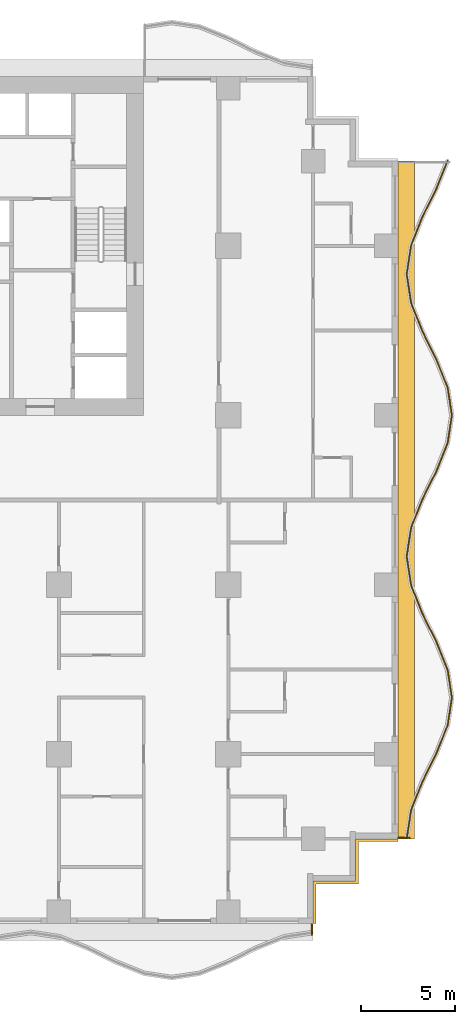
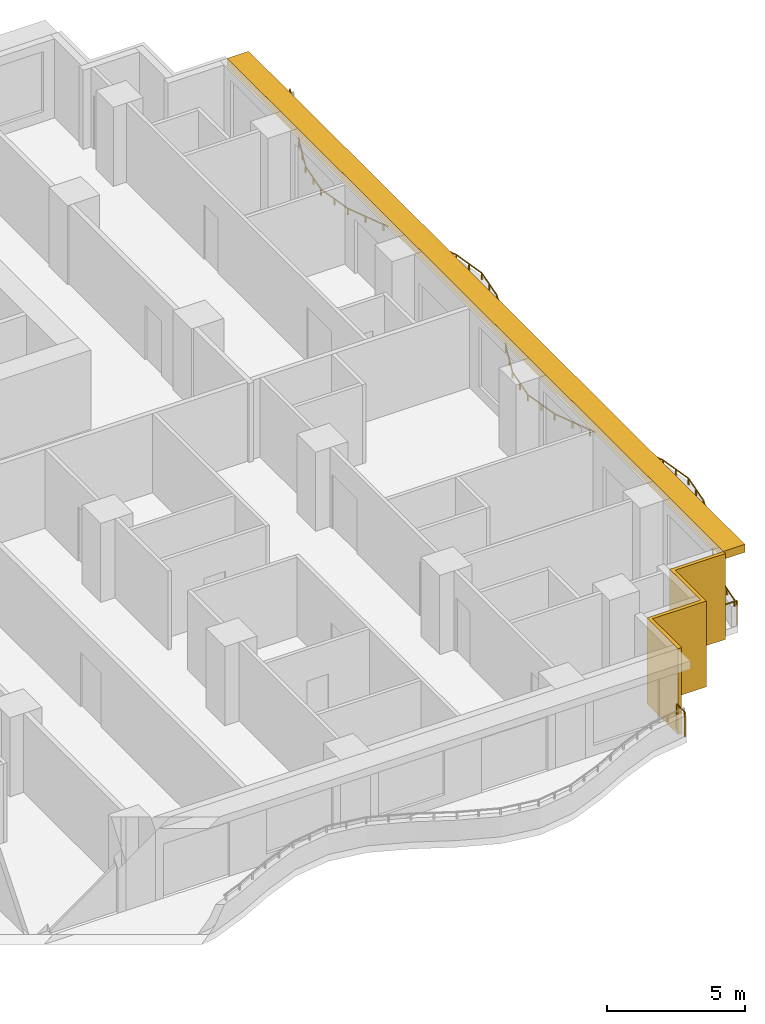
# One storey, part 10 of 13: 3 railings, 2 shading devices.
"""IFC4 building model written with IfcOpenShell, lengths in metres."""

from ifc_helpers import new_model, si_unit, direction, frame, origin, origin_2d, place, context, subcontext, project, spatial, polyline, rectangle, outline, extrude, material, layer, layer_set, type_object, element, save


model = new_model("IFC4")

# Units and contexts
model_context = context("Model", 3, precision=1e-05, world=origin(), true_north=direction((0.0, 1.0)))
body_context = subcontext(model_context, "Body", "Model", "MODEL_VIEW")
ifc_project = project(units=[si_unit("LENGTHUNIT", "METRE"), si_unit("AREAUNIT", "SQUARE_METRE"), si_unit("VOLUMEUNIT", "CUBIC_METRE"), si_unit("PLANEANGLEUNIT", "RADIAN"), si_unit("MASSUNIT", "GRAM", prefix="KILO")], contexts=[model_context])

# Site, building, storey
site_placement = place(None, origin())
site = spatial("IfcSite", under=ifc_project, at=site_placement, CompositionType="ELEMENT")
building_placement = place(site_placement, origin())
building = spatial("IfcBuilding", under=site, at=building_placement, Name="Orbiselva Terraces", CompositionType="ELEMENT")
storey_placement = place(building_placement, frame((0.0, 0.0, 99.8)))
storey = spatial("IfcBuildingStorey", under=building, at=storey_placement, Name="L25", CompositionType="ELEMENT", Elevation=99.8)

# Railings
ifc_material_1 = material(Name="Bonded two-ply safety glass balustrade, stainless steel posts", Category="steel")
railing_type_1 = type_object("IfcRailingType", Name="ENV-BALUSTRADE-1200", PredefinedType="BALUSTRADE", material=ifc_material_1)
railing_1_placement = place(storey_placement, frame((27.476434, -17.981121, 0.9)))
element("IfcRailing", 1, at=railing_1_placement, inside=storey, type_object=railing_type_1, Name="Balcony balustrade L25 E", PredefinedType="BALUSTRADE", context=body_context, shape_type="SweptSolid", body=[
    extrude(outline(polyline([(0.028868, 0.0), (0.014434, 0.025), (-0.014434, 0.025), (-0.028868, 0.0), (-0.014434, -0.025), (0.014434, -0.025), (0.028868, 0.0)])), frame((0.0, 0.0, 0.275), z_axis=(0.151033869252, 0.988528588529, 0.0), x_axis=(-0.988528588529, 0.151033869252, 0.0)), (0.0, 0.0, 1.0), 1.531776),
    extrude(outline(polyline([(0.028868, 0.0), (0.014434, 0.025), (-0.014434, 0.025), (-0.028868, 0.0), (-0.014434, -0.025), (0.014434, -0.025), (0.028868, 0.0)])), frame((0.23135, 1.514204, 0.275), z_axis=(0.371390359967, 0.92847681744, 0.0), x_axis=(-0.92847681744, 0.371390359967, 0.0)), (0.0, 0.0, 1.0), 1.634838),
    extrude(outline(polyline([(0.028868, 0.0), (0.014434, 0.025), (-0.014434, 0.025), (-0.028868, 0.0), (-0.014434, -0.025), (0.014434, -0.025), (0.028868, 0.0)])), frame((0.838513, 3.032113, 0.275), z_axis=(0.443212307306, 0.896416672454, 0.0), x_axis=(-0.896416672454, 0.443212307306, 0.0)), (0.0, 0.0, 1.0), 1.673329),
    extrude(outline(polyline([(0.028868, 0.0), (0.014434, 0.025), (-0.014434, 0.025), (-0.028868, 0.0), (-0.014434, -0.025), (0.014434, -0.025), (0.028868, 0.0)])), frame((1.580153, 4.532113, 0.275), z_axis=(0.371391000387, 0.928476561272, 0.0), x_axis=(-0.928476561272, 0.371391000387, 0.0)), (0.0, 0.0, 1.0), 1.596261),
    extrude(outline(polyline([(0.028868, 0.0), (0.014434, 0.025), (-0.014434, 0.025), (-0.028868, 0.0), (-0.014434, -0.025), (0.014434, -0.025), (0.028868, 0.0)])), frame((2.17299, 6.014204, 0.275), z_axis=(0.151033749027, 0.988528606898, 0.0), x_axis=(-0.988528606898, 0.151033749027, 0.0)), (0.0, 0.0, 1.0), 1.48394),
    extrude(outline(polyline([(0.028868, 0.0), (0.014434, 0.025), (-0.014434, 0.025), (-0.028868, 0.0), (-0.014434, -0.025), (0.014434, -0.025), (0.028868, 0.0)])), frame((2.397115, 7.481121, 0.275), z_axis=(-0.151033749027, 0.988528606898, 0.0), x_axis=(-0.988528606898, -0.151033749027, 0.0)), (0.0, 0.0, 1.0), 1.48394),
    extrude(outline(polyline([(0.028868, 0.0), (0.014434, 0.025), (-0.014434, 0.025), (-0.028868, 0.0), (-0.014434, -0.025), (0.014434, -0.025), (0.028868, 0.0)])), frame((2.17299, 8.948038, 0.275), z_axis=(-0.371391000387, 0.928476561272, 0.0), x_axis=(-0.928476561272, -0.371391000387, 0.0)), (0.0, 0.0, 1.0), 1.596261),
    extrude(outline(polyline([(0.028868, 0.0), (0.014434, 0.025), (-0.014434, 0.025), (-0.028868, 0.0), (-0.014434, -0.025), (0.014434, -0.025), (0.028868, 0.0)])), frame((1.580153, 10.430129, 0.275), z_axis=(-0.443212307306, 0.896416672454, 0.0), x_axis=(-0.896416672454, -0.443212307306, 0.0)), (0.0, 0.0, 1.0), 1.673329),
    extrude(outline(polyline([(0.028868, 0.0), (0.014434, 0.025), (-0.014434, 0.025), (-0.028868, 0.0), (-0.014434, -0.025), (0.014434, -0.025), (0.028868, 0.0)])), frame((0.838513, 11.930129, 0.275), z_axis=(-0.371390359967, 0.92847681744, 0.0), x_axis=(-0.92847681744, -0.371390359967, 0.0)), (0.0, 0.0, 1.0), 1.634838),
    extrude(outline(polyline([(0.028868, 0.0), (0.014434, 0.025), (-0.014434, 0.025), (-0.028868, 0.0), (-0.014434, -0.025), (0.014434, -0.025), (0.028868, 0.0)])), frame((0.23135, 13.448038, 0.275), z_axis=(-0.151034211256, 0.988528536275, 0.0), x_axis=(-0.988528536275, -0.151034211256, 0.0)), (0.0, 0.0, 1.0), 1.550874),
    extrude(outline(polyline([(0.028868, 0.0), (0.014434, 0.025), (-0.014434, 0.025), (-0.028868, 0.0), (-0.014434, -0.025), (0.014434, -0.025), (0.028868, 0.0)])), frame((-0.002885, 14.981121, 0.275), z_axis=(0.151034211256, 0.988528536275, 0.0), x_axis=(-0.988528536275, 0.151034211256, 0.0)), (0.0, 0.0, 1.0), 1.550874),
    extrude(outline(polyline([(0.028868, 0.0), (0.014434, 0.025), (-0.014434, 0.025), (-0.028868, 0.0), (-0.014434, -0.025), (0.014434, -0.025), (0.028868, 0.0)])), frame((0.23135, 16.514204, 0.275), z_axis=(0.371390359967, 0.92847681744, 0.0), x_axis=(-0.92847681744, 0.371390359967, 0.0)), (0.0, 0.0, 1.0), 1.634838),
    extrude(outline(polyline([(0.028868, 0.0), (0.014434, 0.025), (-0.014434, 0.025), (-0.028868, 0.0), (-0.014434, -0.025), (0.014434, -0.025), (0.028868, 0.0)])), frame((0.838513, 18.032113, 0.275), z_axis=(0.443212307306, 0.896416672454, 0.0), x_axis=(-0.896416672454, 0.443212307306, 0.0)), (0.0, 0.0, 1.0), 1.673329),
    extrude(outline(polyline([(0.028868, 0.0), (0.014434, 0.025), (-0.014434, 0.025), (-0.028868, 0.0), (-0.014434, -0.025), (0.014434, -0.025), (0.028868, 0.0)])), frame((1.580153, 19.532113, 0.275), z_axis=(0.371391000387, 0.928476561272, 0.0), x_axis=(-0.928476561272, 0.371391000387, 0.0)), (0.0, 0.0, 1.0), 1.596261),
    extrude(outline(polyline([(0.028868, 0.0), (0.014434, 0.025), (-0.014434, 0.025), (-0.028868, 0.0), (-0.014434, -0.025), (0.014434, -0.025), (0.028868, 0.0)])), frame((2.17299, 21.014204, 0.275), z_axis=(0.151033749027, 0.988528606898, 0.0), x_axis=(-0.988528606898, 0.151033749027, 0.0)), (0.0, 0.0, 1.0), 1.48394),
    extrude(outline(polyline([(0.028868, 0.0), (0.014434, 0.025), (-0.014434, 0.025), (-0.028868, 0.0), (-0.014434, -0.025), (0.014434, -0.025), (0.028868, 0.0)])), frame((2.397115, 22.481121, 0.275), z_axis=(-0.151033749027, 0.988528606898, 0.0), x_axis=(-0.988528606898, -0.151033749027, 0.0)), (0.0, 0.0, 1.0), 1.48394),
    extrude(outline(polyline([(0.028868, 0.0), (0.014434, 0.025), (-0.014434, 0.025), (-0.028868, 0.0), (-0.014434, -0.025), (0.014434, -0.025), (0.028868, 0.0)])), frame((2.17299, 23.948038, 0.275), z_axis=(-0.371391000387, 0.928476561272, 0.0), x_axis=(-0.928476561272, -0.371391000387, 0.0)), (0.0, 0.0, 1.0), 1.596261),
    extrude(outline(polyline([(0.028868, 0.0), (0.014434, 0.025), (-0.014434, 0.025), (-0.028868, 0.0), (-0.014434, -0.025), (0.014434, -0.025), (0.028868, 0.0)])), frame((1.580153, 25.430129, 0.275), z_axis=(-0.443212307306, 0.896416672454, 0.0), x_axis=(-0.896416672454, -0.443212307306, 0.0)), (0.0, 0.0, 1.0), 1.673329),
    extrude(outline(polyline([(0.028868, 0.0), (0.014434, 0.025), (-0.014434, 0.025), (-0.028868, 0.0), (-0.014434, -0.025), (0.014434, -0.025), (0.028868, 0.0)])), frame((0.838513, 26.930129, 0.275), z_axis=(-0.371390359967, 0.92847681744, 0.0), x_axis=(-0.92847681744, -0.371390359967, 0.0)), (0.0, 0.0, 1.0), 1.634838),
    extrude(outline(polyline([(0.028868, 0.0), (0.014434, 0.025), (-0.014434, 0.025), (-0.028868, 0.0), (-0.014434, -0.025), (0.014434, -0.025), (0.028868, 0.0)])), frame((0.23135, 28.448038, 0.275), z_axis=(-0.151034211256, 0.988528536275, 0.0), x_axis=(-0.988528536275, -0.151034211256, 0.0)), (0.0, 0.0, 1.0), 1.550874),
    extrude(outline(polyline([(0.028868, 0.0), (0.014434, 0.025), (-0.014434, 0.025), (-0.028868, 0.0), (-0.014434, -0.025), (0.014434, -0.025), (0.028868, 0.0)])), frame((-0.002885, 29.981121, 0.275), z_axis=(0.151034211256, 0.988528536275, 0.0), x_axis=(-0.988528536275, 0.151034211256, 0.0)), (0.0, 0.0, 1.0), 1.550874),
    extrude(outline(polyline([(0.028868, 0.0), (0.014434, 0.025), (-0.014434, 0.025), (-0.028868, 0.0), (-0.014434, -0.025), (0.014434, -0.025), (0.028868, 0.0)])), frame((0.23135, 31.514204, 0.275), z_axis=(0.371390359967, 0.92847681744, 0.0), x_axis=(-0.92847681744, 0.371390359967, 0.0)), (0.0, 0.0, 1.0), 1.634838),
    extrude(outline(polyline([(0.028868, 0.0), (0.014434, 0.025), (-0.014434, 0.025), (-0.028868, 0.0), (-0.014434, -0.025), (0.014434, -0.025), (0.028868, 0.0)])), frame((0.838513, 33.032113, 0.275), z_axis=(0.443212307306, 0.896416672454, 0.0), x_axis=(-0.896416672454, 0.443212307306, 0.0)), (0.0, 0.0, 1.0), 1.673329),
    extrude(outline(polyline([(0.028868, 0.0), (0.014434, 0.025), (-0.014434, 0.025), (-0.028868, 0.0), (-0.014434, -0.025), (0.014434, -0.025), (0.028868, 0.0)])), frame((1.580153, 34.532113, 0.275), z_axis=(0.371390783402, 0.928476648066, 0.0), x_axis=(-0.928476648066, 0.371390783402, 0.0)), (0.0, 0.0, 1.0), 1.61063),
    extrude(rectangle(XDim=0.05, YDim=0.05, at=origin_2d()), origin(), (0.0, 0.0, 1.0), 0.25),
    extrude(rectangle(XDim=0.05, YDim=0.05, at=origin_2d()), frame((0.115675, 0.757102, 0.0)), (0.0, 0.0, 1.0), 0.25),
    extrude(rectangle(XDim=0.05, YDim=0.05, at=origin_2d()), frame((0.23135, 1.514204, 0.0)), (0.0, 0.0, 1.0), 0.25),
    extrude(rectangle(XDim=0.05, YDim=0.05, at=origin_2d()), frame((0.534931, 2.273159, 0.0)), (0.0, 0.0, 1.0), 0.25),
    extrude(rectangle(XDim=0.05, YDim=0.05, at=origin_2d()), frame((0.838513, 3.032113, 0.0)), (0.0, 0.0, 1.0), 0.25),
    extrude(rectangle(XDim=0.05, YDim=0.05, at=origin_2d()), frame((1.209333, 3.782113, 0.0)), (0.0, 0.0, 1.0), 0.25),
    extrude(rectangle(XDim=0.05, YDim=0.05, at=origin_2d()), frame((1.580153, 4.532113, 0.0)), (0.0, 0.0, 1.0), 0.25),
    extrude(rectangle(XDim=0.05, YDim=0.05, at=origin_2d()), frame((1.876571, 5.273159, 0.0)), (0.0, 0.0, 1.0), 0.25),
    extrude(rectangle(XDim=0.05, YDim=0.05, at=origin_2d()), frame((2.17299, 6.014204, 0.0)), (0.0, 0.0, 1.0), 0.25),
    extrude(rectangle(XDim=0.05, YDim=0.05, at=origin_2d()), frame((2.285052, 6.747663, 0.0)), (0.0, 0.0, 1.0), 0.25),
    extrude(rectangle(XDim=0.05, YDim=0.05, at=origin_2d()), frame((2.397115, 7.481121, 0.0)), (0.0, 0.0, 1.0), 0.25),
    extrude(rectangle(XDim=0.05, YDim=0.05, at=origin_2d()), frame((2.285052, 8.21458, 0.0)), (0.0, 0.0, 1.0), 0.25),
    extrude(rectangle(XDim=0.05, YDim=0.05, at=origin_2d()), frame((2.17299, 8.948038, 0.0)), (0.0, 0.0, 1.0), 0.25),
    extrude(rectangle(XDim=0.05, YDim=0.05, at=origin_2d()), frame((1.876571, 9.689084, 0.0)), (0.0, 0.0, 1.0), 0.25),
    extrude(rectangle(XDim=0.05, YDim=0.05, at=origin_2d()), frame((1.580153, 10.430129, 0.0)), (0.0, 0.0, 1.0), 0.25),
    extrude(rectangle(XDim=0.05, YDim=0.05, at=origin_2d()), frame((1.209333, 11.180129, 0.0)), (0.0, 0.0, 1.0), 0.25),
    extrude(rectangle(XDim=0.05, YDim=0.05, at=origin_2d()), frame((0.838513, 11.930129, 0.0)), (0.0, 0.0, 1.0), 0.25),
    extrude(rectangle(XDim=0.05, YDim=0.05, at=origin_2d()), frame((0.534931, 12.689084, 0.0)), (0.0, 0.0, 1.0), 0.25),
    extrude(rectangle(XDim=0.05, YDim=0.05, at=origin_2d()), frame((0.23135, 13.448038, 0.0)), (0.0, 0.0, 1.0), 0.25),
    extrude(rectangle(XDim=0.05, YDim=0.05, at=origin_2d()), frame((0.114232, 14.21458, 0.0)), (0.0, 0.0, 1.0), 0.25),
    extrude(rectangle(XDim=0.05, YDim=0.05, at=origin_2d()), frame((-0.002885, 14.981121, 0.0)), (0.0, 0.0, 1.0), 0.25),
    extrude(rectangle(XDim=0.05, YDim=0.05, at=origin_2d()), frame((0.114232, 15.747663, 0.0)), (0.0, 0.0, 1.0), 0.25),
    extrude(rectangle(XDim=0.05, YDim=0.05, at=origin_2d()), frame((0.23135, 16.514204, 0.0)), (0.0, 0.0, 1.0), 0.25),
    extrude(rectangle(XDim=0.05, YDim=0.05, at=origin_2d()), frame((0.534931, 17.273158, 0.0)), (0.0, 0.0, 1.0), 0.25),
    extrude(rectangle(XDim=0.05, YDim=0.05, at=origin_2d()), frame((0.838513, 18.032113, 0.0)), (0.0, 0.0, 1.0), 0.25),
    extrude(rectangle(XDim=0.05, YDim=0.05, at=origin_2d()), frame((1.209333, 18.782113, 0.0)), (0.0, 0.0, 1.0), 0.25),
    extrude(rectangle(XDim=0.05, YDim=0.05, at=origin_2d()), frame((1.580153, 19.532113, 0.0)), (0.0, 0.0, 1.0), 0.25),
    extrude(rectangle(XDim=0.05, YDim=0.05, at=origin_2d()), frame((1.876571, 20.273158, 0.0)), (0.0, 0.0, 1.0), 0.25),
    extrude(rectangle(XDim=0.05, YDim=0.05, at=origin_2d()), frame((2.17299, 21.014204, 0.0)), (0.0, 0.0, 1.0), 0.25),
    extrude(rectangle(XDim=0.05, YDim=0.05, at=origin_2d()), frame((2.285052, 21.747663, 0.0)), (0.0, 0.0, 1.0), 0.25),
    extrude(rectangle(XDim=0.05, YDim=0.05, at=origin_2d()), frame((2.397115, 22.481121, 0.0)), (0.0, 0.0, 1.0), 0.25),
    extrude(rectangle(XDim=0.05, YDim=0.05, at=origin_2d()), frame((2.285052, 23.21458, 0.0)), (0.0, 0.0, 1.0), 0.25),
    extrude(rectangle(XDim=0.05, YDim=0.05, at=origin_2d()), frame((2.17299, 23.948038, 0.0)), (0.0, 0.0, 1.0), 0.25),
    extrude(rectangle(XDim=0.05, YDim=0.05, at=origin_2d()), frame((1.876571, 24.689084, 0.0)), (0.0, 0.0, 1.0), 0.25),
    extrude(rectangle(XDim=0.05, YDim=0.05, at=origin_2d()), frame((1.580153, 25.430129, 0.0)), (0.0, 0.0, 1.0), 0.25),
    extrude(rectangle(XDim=0.05, YDim=0.05, at=origin_2d()), frame((1.209333, 26.180129, 0.0)), (0.0, 0.0, 1.0), 0.25),
    extrude(rectangle(XDim=0.05, YDim=0.05, at=origin_2d()), frame((0.838513, 26.930129, 0.0)), (0.0, 0.0, 1.0), 0.25),
    extrude(rectangle(XDim=0.05, YDim=0.05, at=origin_2d()), frame((0.534931, 27.689084, 0.0)), (0.0, 0.0, 1.0), 0.25),
    extrude(rectangle(XDim=0.05, YDim=0.05, at=origin_2d()), frame((0.23135, 28.448038, 0.0)), (0.0, 0.0, 1.0), 0.25),
    extrude(rectangle(XDim=0.05, YDim=0.05, at=origin_2d()), frame((0.114232, 29.21458, 0.0)), (0.0, 0.0, 1.0), 0.25),
    extrude(rectangle(XDim=0.05, YDim=0.05, at=origin_2d()), frame((-0.002885, 29.981121, 0.0)), (0.0, 0.0, 1.0), 0.25),
    extrude(rectangle(XDim=0.05, YDim=0.05, at=origin_2d()), frame((0.114232, 30.747662, 0.0)), (0.0, 0.0, 1.0), 0.25),
    extrude(rectangle(XDim=0.05, YDim=0.05, at=origin_2d()), frame((0.23135, 31.514204, 0.0)), (0.0, 0.0, 1.0), 0.25),
    extrude(rectangle(XDim=0.05, YDim=0.05, at=origin_2d()), frame((0.534931, 32.273158, 0.0)), (0.0, 0.0, 1.0), 0.25),
    extrude(rectangle(XDim=0.05, YDim=0.05, at=origin_2d()), frame((0.838513, 33.032113, 0.0)), (0.0, 0.0, 1.0), 0.25),
    extrude(rectangle(XDim=0.05, YDim=0.05, at=origin_2d()), frame((1.209333, 33.782113, 0.0)), (0.0, 0.0, 1.0), 0.25),
    extrude(rectangle(XDim=0.05, YDim=0.05, at=origin_2d()), frame((1.580153, 34.532113, 0.0)), (0.0, 0.0, 1.0), 0.25),
    extrude(rectangle(XDim=0.05, YDim=0.05, at=origin_2d()), frame((1.879239, 35.279829, 0.0)), (0.0, 0.0, 1.0), 0.25),
    extrude(rectangle(XDim=0.05, YDim=0.05, at=origin_2d()), frame((2.178326, 36.027545, 0.0)), (0.0, 0.0, 1.0), 0.25),
])
ifc_material_2 = material(Name="Stainless steel rail and posts", Category="steel")
railing_type_2 = type_object("IfcRailingType", Name="ENV-GUARD-1105", PredefinedType="BALUSTRADE", material=ifc_material_2)
railing_2_placement = place(storey_placement, frame((22.44, -23.100379, 0.0)))
element("IfcRailing", 2, at=railing_2_placement, inside=storey, type_object=railing_type_2, Name="Balcony end guard L25 S", PredefinedType="BALUSTRADE", context=body_context, shape_type="SweptSolid", body=[
    extrude(outline(polyline([(0.028868, 0.0), (0.014434, 0.025), (-0.014434, 0.025), (-0.028868, 0.0), (-0.014434, -0.025), (0.014434, -0.025), (0.028868, 0.0)])), frame((0.0, 0.0, 1.08), z_axis=(0.0, 1.0, 0.0), x_axis=(-1.0, 0.0, 0.0)), (0.0, 0.0, 1.0), 0.575379),
    extrude(rectangle(XDim=0.05, YDim=0.05, at=origin_2d()), origin(), (0.0, 0.0, 1.0), 1.055),
    extrude(rectangle(XDim=0.05, YDim=0.05, at=origin_2d()), frame((0.0, 0.575379, 0.0)), (0.0, 0.0, 1.0), 1.055),
])
railing_3_placement = place(storey_placement, frame((27.600379, -17.94, 0.0)))
element("IfcRailing", 3, at=railing_3_placement, inside=storey, type_object=railing_type_2, Name="Balcony end guard L25 E", PredefinedType="BALUSTRADE", context=body_context, shape_type="SweptSolid", body=[
    extrude(outline(polyline([(0.028868, 0.0), (0.014434, 0.025), (-0.014434, 0.025), (-0.028868, 0.0), (-0.014434, -0.025), (0.014434, -0.025), (0.028868, 0.0)])), frame((0.0, 0.0, 1.08), z_axis=(-1.0, 0.0, 0.0), x_axis=(0.0, -1.0, 0.0)), (0.0, 0.0, 1.0), 0.575379),
    extrude(rectangle(XDim=0.05, YDim=0.05, at=origin_2d()), origin(), (0.0, 0.0, 1.0), 1.055),
    extrude(rectangle(XDim=0.05, YDim=0.05, at=origin_2d()), frame((-0.575379, 0.0, 0.0)), (0.0, 0.0, 1.0), 1.055),
])

# Shading devices
ifc_material_3 = material(Name="Terracotta louvre screen", Category="masonry")
ifc_layer_1 = layer(ifc_material_3, 0.15)
ifc_layer_set_1 = layer_set([ifc_layer_1], Name="Terracotta louvre screen")
shading_device_type_1 = type_object("IfcShadingDeviceType", Name="ENV-SCREEN-150", PredefinedType="USERDEFINED", material=ifc_layer_set_1)
shading_device_1_placement = place(storey_placement, frame((0.0, 0.0, -0.3)))
element("IfcShadingDevice", 4, at=shading_device_1_placement, inside=storey, type_object=shading_device_type_1, Name="Louvre screen L25 SE", ObjectType="SCREEN", PredefinedType="USERDEFINED", context=body_context, shape_type="SweptSolid", body=[
    extrude(outline(polyline([(22.65, -22.5), (22.65, -20.4), (24.9, -20.4), (24.9, -18.15), (27.0, -18.15), (27.0, -18.0), (24.75, -18.0), (24.75, -20.25), (22.5, -20.25), (22.5, -22.5), (22.65, -22.5)])), origin(), (0.0, 0.0, 1.0), 3.8),
])
ifc_material_4 = material(Name="Terracotta baguette sunshade", Category="masonry")
ifc_layer_2 = layer(ifc_material_4, 0.35)
ifc_layer_set_2 = layer_set([ifc_layer_2], Name="Terracotta baguette sunshade")
shading_device_type_2 = type_object("IfcShadingDeviceType", Name="ENV-SUNSHADE-900x350", PredefinedType="USERDEFINED", material=ifc_layer_set_2)
shading_device_2_placement = place(storey_placement, frame((0.0, 0.0, 3.15)))
element("IfcShadingDevice", 5, at=shading_device_2_placement, inside=storey, type_object=shading_device_type_2, Name="Sunshade band L25 E", ObjectType="SUNSHADE", PredefinedType="USERDEFINED", context=body_context, shape_type="SweptSolid", body=[
    extrude(outline(polyline([(27.9, -18.0), (27.9, 18.0), (27.0, 18.0), (27.0, -18.0), (27.9, -18.0)])), origin(), (0.0, 0.0, 1.0), 0.35),
])

save(model, "model.ifc")
